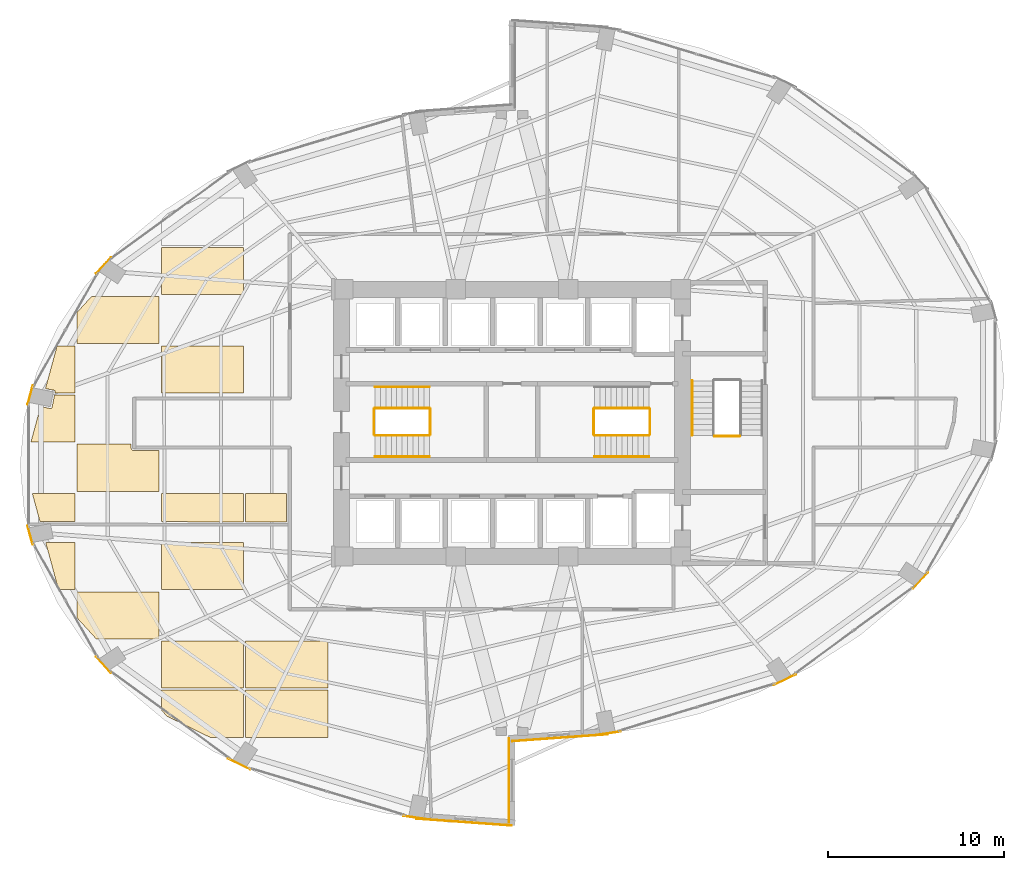
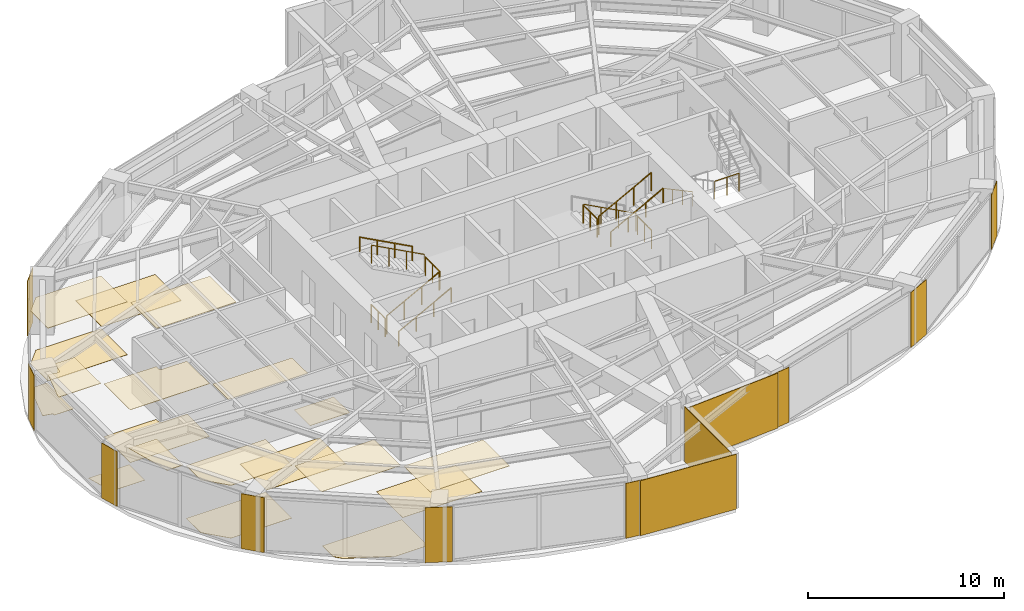
# One storey, part 23 of 24: 31 coverings, 13 railings.
"""IFC4 building model written with IfcOpenShell, lengths in metres."""

from ifc_helpers import new_model, si_unit, direction, frame, origin, origin_2d, place, context, subcontext, project, spatial, polyline, rectangle, circle, outline, extrude, material, layer, layer_set, type_object, element, save


model = new_model("IFC4")

# Units and contexts
model_context = context("Model", 3, precision=1e-05, world=origin(), true_north=direction((0.0, 1.0)))
body_context = subcontext(model_context, "Body", "Model", "MODEL_VIEW")
ifc_project = project(units=[si_unit("LENGTHUNIT", "METRE"), si_unit("AREAUNIT", "SQUARE_METRE"), si_unit("VOLUMEUNIT", "CUBIC_METRE"), si_unit("PLANEANGLEUNIT", "RADIAN"), si_unit("MASSUNIT", "GRAM", prefix="KILO")], contexts=[model_context])

# Site, building, storey
site_placement = place(None, origin())
site = spatial("IfcSite", under=ifc_project, at=site_placement, CompositionType="ELEMENT")
building_placement = place(site_placement, origin())
building = spatial("IfcBuilding", under=site, at=building_placement, Name="Lazwardi Medical Tower", CompositionType="ELEMENT")
storey_placement = place(building_placement, frame((0.0, 0.0, 68.97607421875)))
storey = spatial("IfcBuildingStorey", under=building, at=storey_placement, Name="L17", CompositionType="ELEMENT", Elevation=68.97607421875)

# Coverings
ifc_material_1 = material(Name="Anodised bronze aluminium cassette cladding", Category="aluminium")
ifc_layer_1 = layer(ifc_material_1, 0.030029296875)
ifc_layer_set_1 = layer_set([ifc_layer_1], Name="Anodised bronze aluminium cassette cladding")
covering_type_1 = type_object("IfcCoveringType", Name="COV-CLD-BRZ", PredefinedType="CLADDING", material=ifc_layer_set_1)
covering_1_placement = place(storey_placement, frame((41.454345703125, 10.33251953125, 0.0), z_axis=(0.0, 0.0, 1.0), x_axis=(0.98957259946, 0.144034962415, 0.0)))
element("IfcCovering", 1, at=covering_1_placement, inside=storey, type_object=covering_type_1, Name="L17 Mega-column bronze cassette cover M01", PredefinedType="CLADDING", context=body_context, shape_type="SweptSolid", body=[
    extrude(rectangle(XDim=1.49951171875, YDim=0.030029296875, at=origin_2d()), origin(), (0.0, 0.0, 1.0), 3.427978515625),
])
covering_2_placement = place(storey_placement, frame((51.532470703125, 13.3876953125, 0.0), z_axis=(0.0, 0.0, 1.0), x_axis=(0.898334492373, 0.439312121178, 0.0)))
element("IfcCovering", 2, at=covering_2_placement, inside=storey, type_object=covering_type_1, Name="L17 Mega-column bronze cassette cover M02", PredefinedType="CLADDING", context=body_context, shape_type="SweptSolid", body=[
    extrude(rectangle(XDim=1.400390625, YDim=0.030029296875, at=origin_2d()), origin(), (0.0, 0.0, 1.0), 3.427978515625),
])
for number, where, z_axis, x_axis, name in (
    (3, (59.24609375, 19.03271484375, 0.0), (0.0, 0.0, 1.0), (0.674252120961, 0.738501237223, 0.0), "L17 Mega-column bronze cassette cover M03"),
    (4, (12.75390625, 36.96728515625, 0.0), (0.0, 0.0, 1.0), (-0.674252120961, -0.738501237223, 0.0), "L17 Mega-column bronze cassette cover M11"),
):
    element("IfcCovering", number, at=place(storey_placement, frame(where, z_axis=z_axis, x_axis=x_axis)), inside=storey, type_object=covering_type_1, Name=name, PredefinedType="CLADDING", context=body_context, shape_type="SweptSolid", body=[
        extrude(rectangle(XDim=1.24658203125, YDim=0.030029296875, at=origin_2d()), origin(), (0.0, 0.0, 1.0), 3.427978515625),
    ])
for number, where, z_axis, x_axis, name in (
    (5, (8.579345703125, 29.591796875, 0.0), (0.0, 0.0, 1.0), (-0.262283496593, -0.964990863902, 0.0), "L17 Mega-column bronze cassette cover M12"),
    (6, (8.579345703125, 21.6083984375, 0.0), (0.0, 0.0, 1.0), (0.262283496593, -0.964990863902, 0.0), "L17 Mega-column bronze cassette cover M13"),
):
    element("IfcCovering", number, at=place(storey_placement, frame(where, z_axis=z_axis, x_axis=x_axis)), inside=storey, type_object=covering_type_1, Name=name, PredefinedType="CLADDING", context=body_context, shape_type="SweptSolid", body=[
        extrude(rectangle(XDim=1.12548828125, YDim=0.030029296875, at=origin_2d()), origin(), (0.0, 0.0, 1.0), 3.427978515625),
    ])
covering_3_placement = place(storey_placement, frame((12.75390625, 14.232666015625, 0.0), z_axis=(0.0, 0.0, 1.0), x_axis=(0.674252120961, -0.738501237223, 0.0)))
element("IfcCovering", 7, at=covering_3_placement, inside=storey, type_object=covering_type_1, Name="L17 Mega-column bronze cassette cover M14", PredefinedType="CLADDING", context=body_context, shape_type="SweptSolid", body=[
    extrude(rectangle(XDim=1.24658203125, YDim=0.030029296875, at=origin_2d()), origin(), (0.0, 0.0, 1.0), 3.427978515625),
])
covering_4_placement = place(storey_placement, frame((20.467529296875, 8.587646484375, 0.0), z_axis=(0.0, 0.0, 1.0), x_axis=(0.898334492373, -0.439312121178, 0.0)))
element("IfcCovering", 8, at=covering_4_placement, inside=storey, type_object=covering_type_1, Name="L17 Mega-column bronze cassette cover M15", PredefinedType="CLADDING", context=body_context, shape_type="SweptSolid", body=[
    extrude(rectangle(XDim=1.400390625, YDim=0.030029296875, at=origin_2d()), origin(), (0.0, 0.0, 1.0), 3.427978515625),
])
covering_5_placement = place(storey_placement, frame((30.545654296875, 5.53271484375, 0.0), z_axis=(0.0, 0.0, 1.0), x_axis=(0.98957259946, -0.144034962415, 0.0)))
element("IfcCovering", 9, at=covering_5_placement, inside=storey, type_object=covering_type_1, Name="L17 Mega-column bronze cassette cover M16", PredefinedType="CLADDING", context=body_context, shape_type="SweptSolid", body=[
    extrude(rectangle(XDim=1.49951171875, YDim=0.030029296875, at=origin_2d()), origin(), (0.0, 0.0, 1.0), 3.427978515625),
])
ifc_material_2 = material(Name="Turquoise glazed ceramic tilework cladding", Category="masonry")
ifc_layer_2 = layer(ifc_material_2, 0.034912109375)
ifc_layer_set_2 = layer_set([ifc_layer_2], Name="Turquoise glazed ceramic tilework cladding")
covering_type_2 = type_object("IfcCoveringType", Name="COV-CLD-TRQ", PredefinedType="CLADDING", material=ifc_layer_set_2)
covering_6_placement = place(storey_placement, frame((38.728271484375, 10.080322265625, 0.0), z_axis=(0.0, 0.0, 1.0), x_axis=(0.997421404513, 0.071767275412, 0.0)))
element("IfcCovering", 10, at=covering_6_placement, inside=storey, type_object=covering_type_2, Name="L17 Turquoise glazed ceramic tilework cladding", PredefinedType="CLADDING", context=body_context, shape_type="SweptSolid", body=[
    extrude(rectangle(XDim=5.4453125, YDim=0.034912109375, at=origin_2d()), origin(), (0.0, 0.0, 1.0), 3.427978515625),
])
covering_7_placement = place(storey_placement, frame((33.271484375, 5.280517578125, 0.0), z_axis=(0.0, 0.0, 1.0), x_axis=(0.997420903458, -0.071774238726, 0.0)))
element("IfcCovering", 11, at=covering_7_placement, inside=storey, type_object=covering_type_2, Name="L17 Turquoise glazed ceramic tilework cladding", PredefinedType="CLADDING", context=body_context, shape_type="SweptSolid", body=[
    extrude(rectangle(XDim=5.44482421875, YDim=0.034912109375, at=origin_2d()), origin(), (0.0, 0.0, 1.0), 3.427978515625),
])
covering_8_placement = place(storey_placement, frame((35.824462890625, 7.659912109375, 0.0), z_axis=(0.0, 0.0, 1.0), x_axis=(0.0, 1.0, 0.0)))
element("IfcCovering", 12, at=covering_8_placement, inside=storey, type_object=covering_type_2, Name="L17 Turquoise glazed ceramic tilework iwan panel", PredefinedType="CLADDING", context=body_context, shape_type="SweptSolid", body=[
    extrude(rectangle(XDim=4.800048828125, YDim=0.034912109375, at=origin_2d()), origin(), (0.0, 0.0, 1.0), 3.427978515625),
])
ifc_material_3 = material(Name="Acoustic mineral fibre tile")
ifc_layer_3 = layer(ifc_material_3, 0.02490234375)
ifc_layer_set_3 = layer_set([ifc_layer_3], Name="Acoustic mineral fibre tile")
covering_type_3 = type_object("IfcCoveringType", Name="COV-CLG-01", PredefinedType="CEILING", material=ifc_layer_set_3)
covering_9_placement = place(storey_placement, frame((0.0, 0.0, 3.282958984375)))
element("IfcCovering", 13, at=covering_9_placement, inside=storey, type_object=covering_type_3, Name="L17 Clinical Acoustic Ceiling 1", PredefinedType="CEILING", context=body_context, shape_type="SweptSolid", body=[
    extrude(outline(polyline([(9.463134765625, 21.1923828125), (10.193115234375, 18.512451171875), (11.122802734375, 18.512451171875), (11.122802734375, 21.1923828125), (9.463134765625, 21.1923828125)])), origin(), (0.0, 0.0, 1.0), 0.02490234375),
])
covering_10_placement = place(storey_placement, frame((0.0, 0.0, 3.282958984375)))
element("IfcCovering", 14, at=covering_10_placement, inside=storey, type_object=covering_type_3, Name="L17 Clinical Acoustic Ceiling 2", PredefinedType="CEILING", context=body_context, shape_type="SweptSolid", body=[
    extrude(outline(polyline([(9.964111328125, 29.592529296875), (9.8232421875, 28.885009765625), (9.8212890625, 28.877197265625), (9.818603515625, 28.869873046875), (9.8154296875, 28.86279296875), (9.811279296875, 28.856201171875), (9.806640625, 28.849609375), (9.801513671875, 28.843994140625), (9.79541015625, 28.838623046875), (9.789306640625, 28.833984375), (9.782470703125, 28.829833984375), (9.775390625, 28.82666015625), (9.76806640625, 28.823974609375), (9.760498046875, 28.822021484375), (9.752685546875, 28.82080078125), (9.744873046875, 28.820556640625), (9.737060546875, 28.82080078125), (9.729248046875, 28.822021484375), (9.170654296875, 28.93310546875), (8.620361328125, 26.91259765625), (11.122802734375, 26.91259765625), (11.122802734375, 29.592529296875), (9.964111328125, 29.592529296875)])), origin(), (0.0, 0.0, 1.0), 0.02490234375),
])
covering_11_placement = place(storey_placement, frame((0.0, 0.0, 3.282958984375)))
element("IfcCovering", 15, at=covering_11_placement, inside=storey, type_object=covering_type_3, Name="L17 Clinical Acoustic Ceiling 3", PredefinedType="CEILING", context=body_context, shape_type="SweptSolid", body=[
    extrude(outline(polyline([(11.242919921875, 16.9091796875), (12.337646484375, 15.71240234375), (15.9228515625, 15.71240234375), (15.9228515625, 18.392578125), (11.242919921875, 18.392578125), (11.242919921875, 16.9091796875)])), origin(), (0.0, 0.0, 1.0), 0.02490234375),
])
covering_12_placement = place(storey_placement, frame((0.0, 0.0, 3.282958984375)))
element("IfcCovering", 16, at=covering_12_placement, inside=storey, type_object=covering_type_3, Name="L17 Clinical Acoustic Ceiling 4", PredefinedType="CEILING", context=body_context, shape_type="SweptSolid", body=[
    extrude(outline(polyline([(15.9228515625, 26.425048828125), (14.5, 26.425048828125), (14.49560546875, 26.425048828125), (14.486328125, 26.425537109375), (14.4794921875, 26.42626953125), (14.47021484375, 26.427490234375), (14.4619140625, 26.42919921875), (14.452880859375, 26.431396484375), (14.44580078125, 26.43359375), (14.43701171875, 26.436767578125), (14.42919921875, 26.43994140625), (14.4208984375, 26.444091796875), (14.4140625, 26.447509765625), (14.406005859375, 26.452392578125), (14.3994140625, 26.456787109375), (14.391845703125, 26.46240234375), (14.38623046875, 26.467041015625), (14.37939453125, 26.473388671875), (14.373291015625, 26.479248046875), (14.3671875, 26.486083984375), (14.362548828125, 26.49169921875), (14.35693359375, 26.499267578125), (14.352294921875, 26.506103515625), (14.34765625, 26.513916015625), (14.343994140625, 26.520751953125), (14.340087890625, 26.529296875), (14.336669921875, 26.537109375), (14.33349609375, 26.5458984375), (14.33154296875, 26.552734375), (14.3291015625, 26.56201171875), (14.32763671875, 26.5703125), (14.326416015625, 26.57958984375), (14.32568359375, 26.58642578125), (14.3251953125, 26.595703125), (14.324951171875, 26.60009765625), (14.324951171875, 26.79248046875), (11.242919921875, 26.79248046875), (11.242919921875, 24.112548828125), (15.9228515625, 24.112548828125), (15.9228515625, 26.425048828125)])), origin(), (0.0, 0.0, 1.0), 0.02490234375),
])
covering_13_placement = place(storey_placement, frame((0.0, 0.0, 3.282958984375)))
element("IfcCovering", 17, at=covering_13_placement, inside=storey, type_object=covering_type_3, Name="L17 Clinical Acoustic Ceiling 5", PredefinedType="CEILING", context=body_context, shape_type="SweptSolid", body=[
    extrude(outline(polyline([(12.067626953125, 35.1923828125), (11.242919921875, 34.290771484375), (11.242919921875, 32.512451171875), (15.9228515625, 32.512451171875), (15.9228515625, 35.1923828125), (12.067626953125, 35.1923828125)])), origin(), (0.0, 0.0, 1.0), 0.02490234375),
])
covering_14_placement = place(storey_placement, frame((0.0, 0.0, 3.282958984375)))
element("IfcCovering", 18, at=covering_14_placement, inside=storey, type_object=covering_type_3, Name="L17 Clinical Acoustic Ceiling 6", PredefinedType="CEILING", context=body_context, shape_type="SweptSolid", body=[
    extrude(outline(polyline([(20.722900390625, 12.91259765625), (20.722900390625, 15.592529296875), (16.04296875, 15.592529296875), (16.04296875, 12.91259765625), (20.722900390625, 12.91259765625)])), origin(), (0.0, 0.0, 1.0), 0.02490234375),
])
covering_15_placement = place(storey_placement, frame((0.0, 0.0, 3.282958984375)))
element("IfcCovering", 19, at=covering_15_placement, inside=storey, type_object=covering_type_3, Name="L17 Clinical Acoustic Ceiling 7", PredefinedType="CEILING", context=body_context, shape_type="SweptSolid", body=[
    extrude(outline(polyline([(16.04296875, 22.380615234375), (20.722900390625, 22.37060546875), (20.722900390625, 23.992431640625), (16.04296875, 23.992431640625), (16.04296875, 22.380615234375)])), origin(), (0.0, 0.0, 1.0), 0.02490234375),
])
covering_16_placement = place(storey_placement, frame((0.0, 0.0, 3.282958984375)))
element("IfcCovering", 20, at=covering_16_placement, inside=storey, type_object=covering_type_3, Name="L17 Clinical Acoustic Ceiling 8", PredefinedType="CEILING", context=body_context, shape_type="SweptSolid", body=[
    extrude(outline(polyline([(20.722900390625, 29.71240234375), (20.722900390625, 32.392578125), (16.04296875, 32.392578125), (16.04296875, 29.71240234375), (20.722900390625, 29.71240234375)])), origin(), (0.0, 0.0, 1.0), 0.02490234375),
])
covering_17_placement = place(storey_placement, frame((0.0, 0.0, 3.282958984375)))
element("IfcCovering", 21, at=covering_17_placement, inside=storey, type_object=covering_type_3, Name="L17 Clinical Acoustic Ceiling 10", PredefinedType="CEILING", context=body_context, shape_type="SweptSolid", body=[
    extrude(outline(polyline([(25.52294921875, 10.112548828125), (25.52294921875, 12.79248046875), (20.843017578125, 12.79248046875), (20.843017578125, 10.112548828125), (25.52294921875, 10.112548828125)])), origin(), (0.0, 0.0, 1.0), 0.02490234375),
])
ifc_material_4 = material(Name="Anti-static hospital vinyl sheet flooring")
ifc_layer_4 = layer(ifc_material_4, 0.014892578125)
ifc_layer_set_4 = layer_set([ifc_layer_4], Name="Anti-static hospital vinyl sheet flooring")
covering_type_4 = type_object("IfcCoveringType", Name="COV-FLR-01", PredefinedType="FLOORING", material=ifc_layer_set_4)
covering_18_placement = place(storey_placement, origin())
element("IfcCovering", 22, at=covering_18_placement, inside=storey, type_object=covering_type_4, Name="L17 Clinical Vinyl Flooring 1", PredefinedType="FLOORING", context=body_context, shape_type="SweptSolid", body=[
    extrude(outline(polyline([(8.70068359375, 23.992431640625), (9.1357421875, 22.39501953125), (11.122802734375, 22.390869140625), (11.122802734375, 23.992431640625), (8.70068359375, 23.992431640625)])), origin(), (0.0, 0.0, 1.0), 0.014892578125),
])
covering_19_placement = place(storey_placement, origin())
element("IfcCovering", 23, at=covering_19_placement, inside=storey, type_object=covering_type_4, Name="L17 Clinical Vinyl Flooring 2", PredefinedType="FLOORING", context=body_context, shape_type="SweptSolid", body=[
    extrude(outline(polyline([(10.11279296875, 32.392578125), (9.44970703125, 29.95849609375), (9.93603515625, 29.86181640625), (9.943603515625, 29.85986328125), (9.950927734375, 29.857177734375), (9.9580078125, 29.853759765625), (9.96484375, 29.849609375), (9.97119140625, 29.844970703125), (9.97705078125, 29.83984375), (9.982177734375, 29.833984375), (9.98681640625, 29.82763671875), (9.990966796875, 29.82080078125), (9.994384765625, 29.813720703125), (9.9970703125, 29.806396484375), (9.998779296875, 29.798828125), (10.0, 29.791015625), (10.00048828125, 29.783203125), (10.0, 29.775390625), (9.998779296875, 29.767578125), (9.98779296875, 29.71240234375), (11.122802734375, 29.71240234375), (11.122802734375, 32.392578125), (10.11279296875, 32.392578125)])), origin(), (0.0, 0.0, 1.0), 0.014892578125),
])
covering_20_placement = place(storey_placement, origin())
element("IfcCovering", 24, at=covering_20_placement, inside=storey, type_object=covering_type_4, Name="L17 Clinical Vinyl Flooring 3", PredefinedType="FLOORING", context=body_context, shape_type="SweptSolid", body=[
    extrude(outline(polyline([(11.242919921875, 16.9091796875), (12.337646484375, 15.71240234375), (15.9228515625, 15.71240234375), (15.9228515625, 18.392578125), (11.242919921875, 18.392578125), (11.242919921875, 16.9091796875)])), origin(), (0.0, 0.0, 1.0), 0.014892578125),
])
covering_21_placement = place(storey_placement, origin())
element("IfcCovering", 25, at=covering_21_placement, inside=storey, type_object=covering_type_4, Name="L17 Clinical Vinyl Flooring 4", PredefinedType="FLOORING", context=body_context, shape_type="SweptSolid", body=[
    extrude(outline(polyline([(15.9228515625, 26.425048828125), (14.5, 26.425048828125), (14.49560546875, 26.425048828125), (14.486328125, 26.425537109375), (14.4794921875, 26.42626953125), (14.47021484375, 26.427490234375), (14.4619140625, 26.42919921875), (14.452880859375, 26.431396484375), (14.44580078125, 26.43359375), (14.43701171875, 26.436767578125), (14.42919921875, 26.43994140625), (14.4208984375, 26.444091796875), (14.4140625, 26.447509765625), (14.406005859375, 26.452392578125), (14.3994140625, 26.456787109375), (14.391845703125, 26.46240234375), (14.38623046875, 26.467041015625), (14.37939453125, 26.473388671875), (14.373291015625, 26.479248046875), (14.3671875, 26.486083984375), (14.362548828125, 26.49169921875), (14.35693359375, 26.499267578125), (14.352294921875, 26.506103515625), (14.34765625, 26.513916015625), (14.343994140625, 26.520751953125), (14.340087890625, 26.529296875), (14.336669921875, 26.537109375), (14.33349609375, 26.5458984375), (14.33154296875, 26.552734375), (14.3291015625, 26.56201171875), (14.32763671875, 26.5703125), (14.326416015625, 26.57958984375), (14.32568359375, 26.58642578125), (14.3251953125, 26.595703125), (14.324951171875, 26.60009765625), (14.324951171875, 26.79248046875), (11.242919921875, 26.79248046875), (11.242919921875, 24.112548828125), (15.9228515625, 24.112548828125), (15.9228515625, 26.425048828125)])), origin(), (0.0, 0.0, 1.0), 0.014892578125),
])
covering_22_placement = place(storey_placement, origin())
element("IfcCovering", 26, at=covering_22_placement, inside=storey, type_object=covering_type_4, Name="L17 Clinical Vinyl Flooring 5", PredefinedType="FLOORING", context=body_context, shape_type="SweptSolid", body=[
    extrude(outline(polyline([(12.067626953125, 35.1923828125), (11.242919921875, 34.290771484375), (11.242919921875, 32.512451171875), (15.9228515625, 32.512451171875), (15.9228515625, 35.1923828125), (12.067626953125, 35.1923828125)])), origin(), (0.0, 0.0, 1.0), 0.014892578125),
])
covering_23_placement = place(storey_placement, origin())
element("IfcCovering", 27, at=covering_23_placement, inside=storey, type_object=covering_type_4, Name="L17 Clinical Vinyl Flooring 6", PredefinedType="FLOORING", context=body_context, shape_type="SweptSolid", body=[
    extrude(outline(polyline([(16.04296875, 11.662109375), (16.377197265625, 11.296875), (18.8037109375, 10.112548828125), (20.722900390625, 10.112548828125), (20.722900390625, 12.79248046875), (16.04296875, 12.79248046875), (16.04296875, 11.662109375)])), origin(), (0.0, 0.0, 1.0), 0.014892578125),
])
covering_24_placement = place(storey_placement, origin())
element("IfcCovering", 28, at=covering_24_placement, inside=storey, type_object=covering_type_4, Name="L17 Clinical Vinyl Flooring 7", PredefinedType="FLOORING", context=body_context, shape_type="SweptSolid", body=[
    extrude(outline(polyline([(20.722900390625, 18.512451171875), (20.722900390625, 21.1923828125), (16.04296875, 21.1923828125), (16.04296875, 18.512451171875), (20.722900390625, 18.512451171875)])), origin(), (0.0, 0.0, 1.0), 0.014892578125),
])
covering_25_placement = place(storey_placement, origin())
element("IfcCovering", 29, at=covering_25_placement, inside=storey, type_object=covering_type_4, Name="L17 Clinical Vinyl Flooring 8", PredefinedType="FLOORING", context=body_context, shape_type="SweptSolid", body=[
    extrude(outline(polyline([(20.722900390625, 35.3125), (20.722900390625, 37.992431640625), (16.04296875, 37.992431640625), (16.04296875, 35.3125), (20.722900390625, 35.3125)])), origin(), (0.0, 0.0, 1.0), 0.014892578125),
])
covering_26_placement = place(storey_placement, origin())
element("IfcCovering", 30, at=covering_26_placement, inside=storey, type_object=covering_type_4, Name="L17 Clinical Vinyl Flooring 9", PredefinedType="FLOORING", context=body_context, shape_type="SweptSolid", body=[
    extrude(outline(polyline([(25.52294921875, 12.91259765625), (25.52294921875, 15.592529296875), (20.843017578125, 15.592529296875), (20.843017578125, 12.91259765625), (25.52294921875, 12.91259765625)])), origin(), (0.0, 0.0, 1.0), 0.014892578125),
])
covering_27_placement = place(storey_placement, origin())
element("IfcCovering", 31, at=covering_27_placement, inside=storey, type_object=covering_type_4, Name="L17 Clinical Vinyl Flooring 10", PredefinedType="FLOORING", context=body_context, shape_type="SweptSolid", body=[
    extrude(outline(polyline([(20.843017578125, 22.370361328125), (23.175048828125, 22.365478515625), (23.175048828125, 23.992431640625), (20.843017578125, 23.992431640625), (20.843017578125, 22.370361328125)])), origin(), (0.0, 0.0, 1.0), 0.014892578125),
])

# Railings
ifc_material_5 = material(Name="Stainless steel Grade 316", Category="steel")
railing_type_1 = type_object("IfcRailingType", Name="RLG-GRD-1150", PredefinedType="GUARDRAIL", material=ifc_material_5)
railing_1_placement = place(storey_placement, frame((28.199951171875, 27.2900390625, 0.165771484375)))
element("IfcRailing", 32, at=railing_1_placement, inside=storey, type_object=railing_type_1, Name="L17 ST1 stair guard 1", PredefinedType="GUARDRAIL", context=body_context, shape_type="SweptSolid", body=[
    extrude(circle(Radius=0.02392578125, at=origin_2d()), frame((0.0, 0.0, 1.1259765625), z_axis=(0.881783298633, 0.0, 0.471654761719), x_axis=(0.0, 1.0, 0.0)), (0.0, 0.0, 1.0), 3.515625),
    extrude(circle(Radius=0.02099609375, at=origin_2d()), origin(), (0.0, 0.0, 1.0), 1.099853515625),
    extrude(circle(Radius=0.02099609375, at=origin_2d()), frame((1.033447265625, 0.0, 0.552734375)), (0.0, 0.0, 1.0), 1.099853515625),
    extrude(circle(Radius=0.02099609375, at=origin_2d()), frame((2.066650390625, 0.0, 1.10546875)), (0.0, 0.0, 1.0), 1.099853515625),
    extrude(circle(Radius=0.02099609375, at=origin_2d()), frame((3.10009765625, 0.0, 1.658203125)), (0.0, 0.0, 1.0), 1.099853515625),
])
railing_2_placement = place(storey_placement, frame((31.35009765625, 27.340087890625, 1.823974609375)))
element("IfcRailing", 33, at=railing_2_placement, inside=storey, type_object=railing_type_1, Name="L17 ST1 stair guard 2", PredefinedType="GUARDRAIL", context=body_context, shape_type="SweptSolid", body=[
    extrude(circle(Radius=0.02392578125, at=origin_2d()), frame((0.0, 0.0, 1.1259765625), z_axis=(0.0, 1.0, 0.0), x_axis=(-1.0, 0.0, 0.0)), (0.0, 0.0, 1.0), 1.43994140625),
    extrude(circle(Radius=0.02099609375, at=origin_2d()), origin(), (0.0, 0.0, 1.0), 1.099853515625),
    extrude(circle(Radius=0.02099609375, at=origin_2d()), frame((0.0, 0.719970703125, 0.0)), (0.0, 0.0, 1.0), 1.099853515625),
    extrude(circle(Radius=0.02099609375, at=origin_2d()), frame((0.0, 1.43994140625, 0.0)), (0.0, 0.0, 1.0), 1.099853515625),
])
railing_3_placement = place(storey_placement, frame((31.300048828125, 28.830078125, 1.98974609375)))
element("IfcRailing", 34, at=railing_3_placement, inside=storey, type_object=railing_type_1, Name="L17 ST1 stair guard 3", PredefinedType="GUARDRAIL", context=body_context, shape_type="SweptSolid", body=[
    extrude(circle(Radius=0.02392578125, at=origin_2d()), frame((0.0, 0.0, 1.1259765625), z_axis=(-0.881783298633, 0.0, 0.471654761719), x_axis=(0.0, -1.0, 0.0)), (0.0, 0.0, 1.0), 3.515625),
    extrude(circle(Radius=0.02099609375, at=origin_2d()), origin(), (0.0, 0.0, 1.0), 1.099853515625),
    extrude(circle(Radius=0.02099609375, at=origin_2d()), frame((-1.033447265625, 0.0, 0.552734375)), (0.0, 0.0, 1.0), 1.099853515625),
    extrude(circle(Radius=0.02099609375, at=origin_2d()), frame((-2.066650390625, 0.0, 1.10546875)), (0.0, 0.0, 1.0), 1.099853515625),
    extrude(circle(Radius=0.02099609375, at=origin_2d()), frame((-3.10009765625, 0.0, 1.658203125)), (0.0, 0.0, 1.0), 1.099853515625),
])
railing_4_placement = place(storey_placement, frame((28.14990234375, 27.340087890625, 0.0)))
element("IfcRailing", 35, at=railing_4_placement, inside=storey, type_object=railing_type_1, Name="L17 ST1 stair guard 4", PredefinedType="GUARDRAIL", context=body_context, shape_type="SweptSolid", body=[
    extrude(circle(Radius=0.02392578125, at=origin_2d()), frame((0.0, 0.0, 1.1259765625), z_axis=(0.0, 1.0, 0.0), x_axis=(-1.0, 0.0, 0.0)), (0.0, 0.0, 1.0), 1.43994140625),
    extrude(circle(Radius=0.02099609375, at=origin_2d()), origin(), (0.0, 0.0, 1.0), 1.099853515625),
    extrude(circle(Radius=0.02099609375, at=origin_2d()), frame((0.0, 0.719970703125, 0.0)), (0.0, 0.0, 1.0), 1.099853515625),
    extrude(circle(Radius=0.02099609375, at=origin_2d()), frame((0.0, 1.43994140625, 0.0)), (0.0, 0.0, 1.0), 1.099853515625),
])
railing_5_placement = place(storey_placement, frame((43.800048828125, 28.830078125, 0.165771484375)))
element("IfcRailing", 36, at=railing_5_placement, inside=storey, type_object=railing_type_1, Name="L17 ST2 stair guard 1", PredefinedType="GUARDRAIL", context=body_context, shape_type="SweptSolid", body=[
    extrude(circle(Radius=0.02392578125, at=origin_2d()), frame((0.0, 0.0, 1.1259765625), z_axis=(-0.881783298633, 0.0, 0.471654761719), x_axis=(0.0, -1.0, 0.0)), (0.0, 0.0, 1.0), 3.515625),
    extrude(circle(Radius=0.02099609375, at=origin_2d()), origin(), (0.0, 0.0, 1.0), 1.099853515625),
    extrude(circle(Radius=0.02099609375, at=origin_2d()), frame((-1.033447265625, 0.0, 0.552734375)), (0.0, 0.0, 1.0), 1.099853515625),
    extrude(circle(Radius=0.02099609375, at=origin_2d()), frame((-2.066650390625, 0.0, 1.10546875)), (0.0, 0.0, 1.0), 1.099853515625),
    extrude(circle(Radius=0.02099609375, at=origin_2d()), frame((-3.10009765625, 0.0, 1.658203125)), (0.0, 0.0, 1.0), 1.099853515625),
])
railing_6_placement = place(storey_placement, frame((40.64990234375, 28.780029296875, 1.823974609375)))
element("IfcRailing", 37, at=railing_6_placement, inside=storey, type_object=railing_type_1, Name="L17 ST2 stair guard 2", PredefinedType="GUARDRAIL", context=body_context, shape_type="SweptSolid", body=[
    extrude(circle(Radius=0.02392578125, at=origin_2d()), frame((0.0, 0.0, 1.1259765625), z_axis=(0.0, -1.0, 0.0), x_axis=(1.0, 0.0, 0.0)), (0.0, 0.0, 1.0), 1.43994140625),
    extrude(circle(Radius=0.02099609375, at=origin_2d()), origin(), (0.0, 0.0, 1.0), 1.099853515625),
    extrude(circle(Radius=0.02099609375, at=origin_2d()), frame((0.0, -0.719970703125, 0.0)), (0.0, 0.0, 1.0), 1.099853515625),
    extrude(circle(Radius=0.02099609375, at=origin_2d()), frame((0.0, -1.43994140625, 0.0)), (0.0, 0.0, 1.0), 1.099853515625),
])
railing_7_placement = place(storey_placement, frame((40.699951171875, 27.2900390625, 1.98974609375)))
element("IfcRailing", 38, at=railing_7_placement, inside=storey, type_object=railing_type_1, Name="L17 ST2 stair guard 3", PredefinedType="GUARDRAIL", context=body_context, shape_type="SweptSolid", body=[
    extrude(circle(Radius=0.02392578125, at=origin_2d()), frame((0.0, 0.0, 1.1259765625), z_axis=(0.881783298633, 0.0, 0.471654761719), x_axis=(0.0, 1.0, 0.0)), (0.0, 0.0, 1.0), 3.515625),
    extrude(circle(Radius=0.02099609375, at=origin_2d()), origin(), (0.0, 0.0, 1.0), 1.099853515625),
    extrude(circle(Radius=0.02099609375, at=origin_2d()), frame((1.033447265625, 0.0, 0.552734375)), (0.0, 0.0, 1.0), 1.099853515625),
    extrude(circle(Radius=0.02099609375, at=origin_2d()), frame((2.066650390625, 0.0, 1.10546875)), (0.0, 0.0, 1.0), 1.099853515625),
    extrude(circle(Radius=0.02099609375, at=origin_2d()), frame((3.10009765625, 0.0, 1.658203125)), (0.0, 0.0, 1.0), 1.099853515625),
])
railing_8_placement = place(storey_placement, frame((43.85009765625, 28.780029296875, 0.0)))
element("IfcRailing", 39, at=railing_8_placement, inside=storey, type_object=railing_type_1, Name="L17 ST2 stair guard 4", PredefinedType="GUARDRAIL", context=body_context, shape_type="SweptSolid", body=[
    extrude(circle(Radius=0.02392578125, at=origin_2d()), frame((0.0, 0.0, 1.1259765625), z_axis=(0.0, -1.0, 0.0), x_axis=(1.0, 0.0, 0.0)), (0.0, 0.0, 1.0), 1.43994140625),
    extrude(circle(Radius=0.02099609375, at=origin_2d()), origin(), (0.0, 0.0, 1.0), 1.099853515625),
    extrude(circle(Radius=0.02099609375, at=origin_2d()), frame((0.0, -0.719970703125, 0.0)), (0.0, 0.0, 1.0), 1.099853515625),
    extrude(circle(Radius=0.02099609375, at=origin_2d()), frame((0.0, -1.43994140625, 0.0)), (0.0, 0.0, 1.0), 1.099853515625),
])
railing_9_placement = place(storey_placement, frame((47.52001953125, 27.25, 1.823974609375)))
element("IfcRailing", 40, at=railing_9_placement, inside=storey, type_object=railing_type_1, Name="L17 ST3 stair guard 2", PredefinedType="GUARDRAIL", context=body_context, shape_type="SweptSolid", body=[
    extrude(circle(Radius=0.02392578125, at=origin_2d()), frame((0.0, 0.0, 1.1259765625), z_axis=(1.0, 0.0, 0.0), x_axis=(0.0, 1.0, 0.0)), (0.0, 0.0, 1.0), 1.43994140625),
    extrude(circle(Radius=0.02099609375, at=origin_2d()), origin(), (0.0, 0.0, 1.0), 1.099853515625),
    extrude(circle(Radius=0.02099609375, at=origin_2d()), frame((0.719970703125, 0.0, 0.0)), (0.0, 0.0, 1.0), 1.099853515625),
    extrude(circle(Radius=0.02099609375, at=origin_2d()), frame((1.43994140625, 0.0, 0.0)), (0.0, 0.0, 1.0), 1.099853515625),
])
railing_type_2 = type_object("IfcRailingType", Name="RLG-HND-920", PredefinedType="HANDRAIL", material=ifc_material_5)
railing_10_placement = place(storey_placement, frame((28.199951171875, 26.070068359375, 0.165771484375)))
element("IfcRailing", 41, at=railing_10_placement, inside=storey, type_object=railing_type_2, Name="L17 ST1 stair handrail 1", PredefinedType="HANDRAIL", context=body_context, shape_type="SweptSolid", body=[
    extrude(circle(Radius=0.02392578125, at=origin_2d()), frame((0.0, 0.0, 0.8857421875), z_axis=(0.881783298633, 0.0, 0.471654761719), x_axis=(0.0, 1.0, 0.0)), (0.0, 0.0, 1.0), 3.515625),
    extrude(circle(Radius=0.02099609375, at=origin_2d()), origin(), (0.0, 0.0, 1.0), 0.85986328125),
    extrude(circle(Radius=0.02099609375, at=origin_2d()), frame((1.033447265625, 0.0, 0.552734375)), (0.0, 0.0, 1.0), 0.85986328125),
    extrude(circle(Radius=0.02099609375, at=origin_2d()), frame((2.066650390625, 0.0, 1.10546875)), (0.0, 0.0, 1.0), 0.85986328125),
    extrude(circle(Radius=0.02099609375, at=origin_2d()), frame((3.10009765625, 0.0, 1.658203125)), (0.0, 0.0, 1.0), 0.85986328125),
])
railing_11_placement = place(storey_placement, frame((31.300048828125, 30.050048828125, 1.98974609375)))
element("IfcRailing", 42, at=railing_11_placement, inside=storey, type_object=railing_type_2, Name="L17 ST1 stair handrail 2", PredefinedType="HANDRAIL", context=body_context, shape_type="SweptSolid", body=[
    extrude(circle(Radius=0.02392578125, at=origin_2d()), frame((0.0, 0.0, 0.8857421875), z_axis=(-0.881783298633, 0.0, 0.471654761719), x_axis=(0.0, -1.0, 0.0)), (0.0, 0.0, 1.0), 3.515625),
    extrude(circle(Radius=0.02099609375, at=origin_2d()), origin(), (0.0, 0.0, 1.0), 0.85986328125),
    extrude(circle(Radius=0.02099609375, at=origin_2d()), frame((-1.033447265625, 0.0, 0.552734375)), (0.0, 0.0, 1.0), 0.85986328125),
    extrude(circle(Radius=0.02099609375, at=origin_2d()), frame((-2.066650390625, 0.0, 1.10546875)), (0.0, 0.0, 1.0), 0.85986328125),
    extrude(circle(Radius=0.02099609375, at=origin_2d()), frame((-3.10009765625, 0.0, 1.658203125)), (0.0, 0.0, 1.0), 0.85986328125),
])
railing_12_placement = place(storey_placement, frame((40.699951171875, 26.070068359375, 1.98974609375)))
element("IfcRailing", 43, at=railing_12_placement, inside=storey, type_object=railing_type_2, Name="L17 ST2 stair handrail 2", PredefinedType="HANDRAIL", context=body_context, shape_type="SweptSolid", body=[
    extrude(circle(Radius=0.02392578125, at=origin_2d()), frame((0.0, 0.0, 0.8857421875), z_axis=(0.881783298633, 0.0, 0.471654761719), x_axis=(0.0, 1.0, 0.0)), (0.0, 0.0, 1.0), 3.515625),
    extrude(circle(Radius=0.02099609375, at=origin_2d()), origin(), (0.0, 0.0, 1.0), 0.85986328125),
    extrude(circle(Radius=0.02099609375, at=origin_2d()), frame((1.033447265625, 0.0, 0.552734375)), (0.0, 0.0, 1.0), 0.85986328125),
    extrude(circle(Radius=0.02099609375, at=origin_2d()), frame((2.066650390625, 0.0, 1.10546875)), (0.0, 0.0, 1.0), 0.85986328125),
    extrude(circle(Radius=0.02099609375, at=origin_2d()), frame((3.10009765625, 0.0, 1.658203125)), (0.0, 0.0, 1.0), 0.85986328125),
])
railing_13_placement = place(storey_placement, frame((46.25, 30.39990234375, 0.165771484375)))
element("IfcRailing", 44, at=railing_13_placement, inside=storey, type_object=railing_type_2, Name="L17 ST3 stair handrail 1", PredefinedType="HANDRAIL", context=body_context, shape_type="SweptSolid", body=[
    extrude(circle(Radius=0.02392578125, at=origin_2d()), frame((0.0, 0.0, 0.8857421875), z_axis=(0.0, -0.881767849116, 0.471683644262), x_axis=(1.0, 0.0, 0.0)), (0.0, 0.0, 1.0), 3.515380859375),
    extrude(circle(Radius=0.02099609375, at=origin_2d()), origin(), (0.0, 0.0, 1.0), 0.85986328125),
    extrude(circle(Radius=0.02099609375, at=origin_2d()), frame((0.0, -1.033203125, 0.552734375)), (0.0, 0.0, 1.0), 0.85986328125),
    extrude(circle(Radius=0.02099609375, at=origin_2d()), frame((0.0, -2.066650390625, 1.10546875)), (0.0, 0.0, 1.0), 0.85986328125),
    extrude(circle(Radius=0.02099609375, at=origin_2d()), frame((0.0, -3.099853515625, 1.658203125)), (0.0, 0.0, 1.0), 0.85986328125),
])

save(model, "model.ifc")
